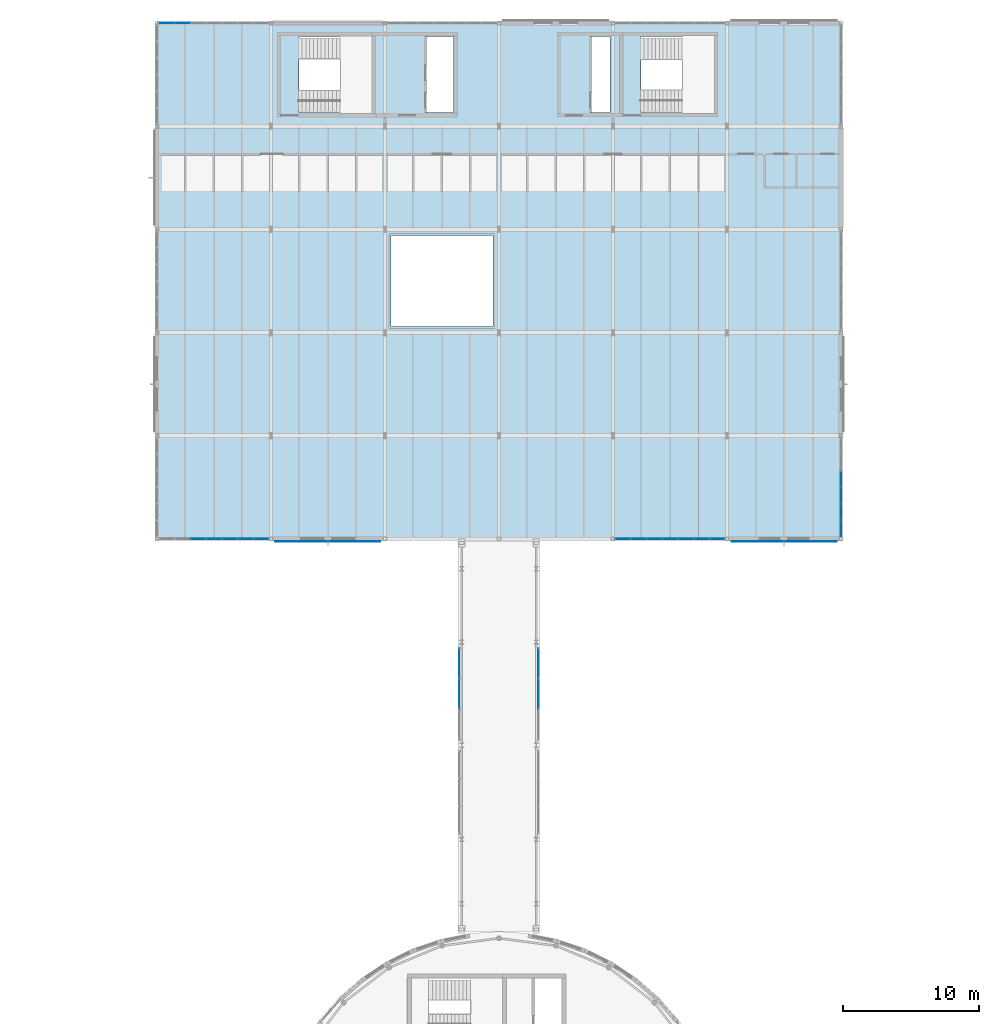
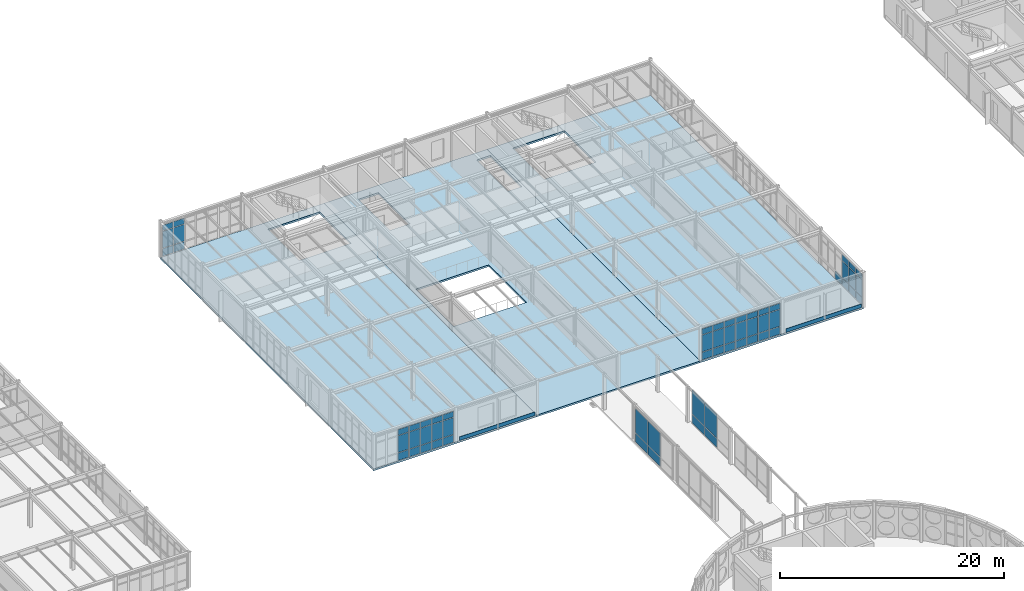
# One storey, part 147 of 189: 62 plates, 3 slabs, 6 elements without a shape of their own.
"""IFC4 building model written with IfcOpenShell, lengths in metres."""

from ifc_helpers import new_model, si_unit, direction, frame, origin, origin_2d, place, context, subcontext, project, spatial, polyline, rectangle, outline, extrude, material, layer, layer_set, type_object, element, aggregate, save


model = new_model("IFC4")

# Units and contexts
model_context = context("Model", 3, precision=1e-05, world=origin(), true_north=direction((0.0, 1.0)))
body_context = subcontext(model_context, "Body", "Model", "MODEL_VIEW")
ifc_project = project(units=[si_unit("LENGTHUNIT", "METRE"), si_unit("AREAUNIT", "SQUARE_METRE"), si_unit("VOLUMEUNIT", "CUBIC_METRE"), si_unit("PLANEANGLEUNIT", "RADIAN"), si_unit("MASSUNIT", "GRAM", prefix="KILO")], contexts=[model_context])

# Site, building, storey
site_placement = place(None, origin())
site = spatial("IfcSite", under=ifc_project, at=site_placement, CompositionType="ELEMENT")
building_placement = place(site_placement, origin())
building = spatial("IfcBuilding", under=site, at=building_placement, Name="Montecoro Central Library", CompositionType="ELEMENT")
storey_placement = place(building_placement, frame((0.0, 0.0, 9.179931640625)))
storey = spatial("IfcBuildingStorey", under=building, at=storey_placement, Name="L02", CompositionType="ELEMENT", Elevation=9.179931640625)

# Curtain wall, plates
ifc_material_1 = material(Name="Bronze-anodised aluminium and low-E glazing", Category="aluminium")
ifc_layer_1 = layer(ifc_material_1, 0.159912109375)
ifc_layer_set_1 = layer_set([ifc_layer_1], Name="Bronze-anodised aluminium and low-E glazing")
curtain_wall_type_1 = type_object("IfcCurtainWallType", Name="CWT-078", PredefinedType="NOTDEFINED", material=ifc_layer_set_1)
curtain_wall_1_placement = place(storey_placement, origin())
curtain_wall_1 = element("IfcCurtainWall", 1, at=curtain_wall_1_placement, inside=storey, type_object=curtain_wall_type_1, Name="BR-N-L02-CW-W2", PredefinedType="NOTDEFINED")
ifc_material_2 = material(Name="Laminated low-E double glazing", Category="glass")
ifc_layer_2 = layer(ifc_material_2, 0.02587890625)
ifc_layer_set_2 = layer_set([ifc_layer_2], Name="Laminated low-E double glazing")
plate_type_1 = type_object("IfcPlateType", Name="CWP-GLZ-01", PredefinedType="CURTAIN_PANEL", material=ifc_layer_set_2)
plate_1_placement = place(storey_placement, frame((88.679931640625, 69.60009765625, 0.06005859375), z_axis=(0.0, 0.0, 1.0), x_axis=(0.0, 1.0, 0.0)))
plate_1 = element("IfcPlate", 2, at=plate_1_placement, type_object=plate_type_1, Name="CW-078 panel 2.1", PredefinedType="CURTAIN_PANEL", context=body_context, shape_type="SweptSolid", body=[
    extrude(rectangle(XDim=2.193359375, YDim=0.02587890625, at=origin_2d()), origin(), (0.0, 0.0, 1.0), 0.9599609375),
])
plate_2_placement = place(storey_placement, frame((88.679931640625, 69.60009765625, 1.080078125), z_axis=(0.0, 0.0, 1.0), x_axis=(0.0, 1.0, 0.0)))
plate_2 = element("IfcPlate", 3, at=plate_2_placement, type_object=plate_type_1, Name="CW-078 panel 2.2", PredefinedType="CURTAIN_PANEL", context=body_context, shape_type="SweptSolid", body=[
    extrude(rectangle(XDim=2.193359375, YDim=0.02587890625, at=origin_2d()), origin(), (0.0, 0.0, 1.0), 2.590087890625),
])
plate_3_placement = place(storey_placement, frame((88.679931640625, 71.83837890625, 0.06005859375), z_axis=(0.0, 0.0, 1.0), x_axis=(0.0, 1.0, 0.0)))
plate_3 = element("IfcPlate", 4, at=plate_3_placement, type_object=plate_type_1, Name="CW-078 panel 3.1", PredefinedType="CURTAIN_PANEL", context=body_context, shape_type="SweptSolid", body=[
    extrude(rectangle(XDim=2.163330078125, YDim=0.02587890625, at=origin_2d()), origin(), (0.0, 0.0, 1.0), 0.9599609375),
])
plate_4_placement = place(storey_placement, frame((88.679931640625, 71.83837890625, 1.080078125), z_axis=(0.0, 0.0, 1.0), x_axis=(0.0, 1.0, 0.0)))
plate_4 = element("IfcPlate", 5, at=plate_4_placement, type_object=plate_type_1, Name="CW-078 panel 3.2", PredefinedType="CURTAIN_PANEL", context=body_context, shape_type="SweptSolid", body=[
    extrude(rectangle(XDim=2.163330078125, YDim=0.02587890625, at=origin_2d()), origin(), (0.0, 0.0, 1.0), 2.590087890625),
])
aggregate(curtain_wall_1, [plate_1, plate_2, plate_3, plate_4])

curtain_wall_2_placement = place(storey_placement, origin())
curtain_wall_2 = element("IfcCurtainWall", 6, at=curtain_wall_2_placement, inside=storey, type_object=curtain_wall_type_1, Name="BR-N-L02-CW-E2", PredefinedType="NOTDEFINED")
plate_5_placement = place(storey_placement, frame((94.52001953125, 69.60009765625, 0.06005859375), z_axis=(0.0, 0.0, 1.0), x_axis=(0.0, 1.0, 0.0)))
plate_5 = element("IfcPlate", 7, at=plate_5_placement, type_object=plate_type_1, Name="CW-078 panel 2.1", PredefinedType="CURTAIN_PANEL", context=body_context, shape_type="SweptSolid", body=[
    extrude(rectangle(XDim=2.193359375, YDim=0.02587890625, at=origin_2d()), origin(), (0.0, 0.0, 1.0), 0.9599609375),
])
plate_6_placement = place(storey_placement, frame((94.52001953125, 69.60009765625, 1.080078125), z_axis=(0.0, 0.0, 1.0), x_axis=(0.0, 1.0, 0.0)))
plate_6 = element("IfcPlate", 8, at=plate_6_placement, type_object=plate_type_1, Name="CW-078 panel 2.2", PredefinedType="CURTAIN_PANEL", context=body_context, shape_type="SweptSolid", body=[
    extrude(rectangle(XDim=2.193359375, YDim=0.02587890625, at=origin_2d()), origin(), (0.0, 0.0, 1.0), 2.590087890625),
])
plate_7_placement = place(storey_placement, frame((94.52001953125, 71.83837890625, 0.06005859375), z_axis=(0.0, 0.0, 1.0), x_axis=(0.0, 1.0, 0.0)))
plate_7 = element("IfcPlate", 9, at=plate_7_placement, type_object=plate_type_1, Name="CW-078 panel 3.1", PredefinedType="CURTAIN_PANEL", context=body_context, shape_type="SweptSolid", body=[
    extrude(rectangle(XDim=2.163330078125, YDim=0.02587890625, at=origin_2d()), origin(), (0.0, 0.0, 1.0), 0.9599609375),
])
plate_8_placement = place(storey_placement, frame((94.52001953125, 71.83837890625, 1.080078125), z_axis=(0.0, 0.0, 1.0), x_axis=(0.0, 1.0, 0.0)))
plate_8 = element("IfcPlate", 10, at=plate_8_placement, type_object=plate_type_1, Name="CW-078 panel 3.2", PredefinedType="CURTAIN_PANEL", context=body_context, shape_type="SweptSolid", body=[
    extrude(rectangle(XDim=2.163330078125, YDim=0.02587890625, at=origin_2d()), origin(), (0.0, 0.0, 1.0), 2.590087890625),
])
aggregate(curtain_wall_2, [plate_5, plate_6, plate_7, plate_8])

ifc_layer_3 = layer(ifc_material_1, 0.159912109375)
ifc_layer_set_3 = layer_set([ifc_layer_3], Name="Bronze-anodised aluminium and low-E glazing")
curtain_wall_type_2 = type_object("IfcCurtainWallType", Name="CWT-014", PredefinedType="NOTDEFINED", material=ifc_layer_set_3)
curtain_wall_3_placement = place(storey_placement, origin())
curtain_wall_3 = element("IfcCurtainWall", 11, at=curtain_wall_3_placement, inside=storey, type_object=curtain_wall_type_2, Name="V2-L02-CW-S4", PredefinedType="NOTDEFINED")
ifc_layer_4 = layer(ifc_material_2, 0.033935546875)
ifc_layer_set_4 = layer_set([ifc_layer_4], Name="Laminated low-E double glazing")
plate_type_2 = type_object("IfcPlateType", Name="CWP-GLZ-03", PredefinedType="CURTAIN_PANEL", material=ifc_layer_set_4)
plate_9_placement = place(storey_placement, frame((100.72900390625, 81.0, 0.06005859375), z_axis=(0.0, 0.0, 1.0), x_axis=(1.0, 0.0, 0.0)))
plate_9 = element("IfcPlate", 12, at=plate_9_placement, type_object=plate_type_2, Name="CW-014 panel 1.1", PredefinedType="CURTAIN_PANEL", context=body_context, shape_type="SweptSolid", body=[
    extrude(rectangle(XDim=1.072021484375, YDim=0.033935546875, at=origin_2d()), origin(), (0.0, 0.0, 1.0), 0.81005859375),
])
plate_10_placement = place(storey_placement, frame((100.72900390625, 81.0, 0.93017578125), z_axis=(0.0, 0.0, 1.0), x_axis=(1.0, 0.0, 0.0)))
plate_10 = element("IfcPlate", 13, at=plate_10_placement, type_object=plate_type_2, Name="CW-014 panel 1.2", PredefinedType="CURTAIN_PANEL", context=body_context, shape_type="SweptSolid", body=[
    extrude(rectangle(XDim=1.072021484375, YDim=0.033935546875, at=origin_2d()), origin(), (0.0, 0.0, 1.0), 1.820068359375),
])
plate_11_placement = place(storey_placement, frame((100.72900390625, 81.0, 2.81005859375), z_axis=(0.0, 0.0, 1.0), x_axis=(1.0, 0.0, 0.0)))
plate_11 = element("IfcPlate", 14, at=plate_11_placement, type_object=plate_type_2, Name="CW-014 panel 1.3", PredefinedType="CURTAIN_PANEL", context=body_context, shape_type="SweptSolid", body=[
    extrude(rectangle(XDim=1.072021484375, YDim=0.033935546875, at=origin_2d()), origin(), (0.0, 0.0, 1.0), 0.610107421875),
])
plate_12_placement = place(storey_placement, frame((101.8759765625, 81.0, 0.06005859375), z_axis=(0.0, 0.0, 1.0), x_axis=(1.0, 0.0, 0.0)))
plate_12 = element("IfcPlate", 15, at=plate_12_placement, type_object=plate_type_2, Name="CW-014 panel 2.1", PredefinedType="CURTAIN_PANEL", context=body_context, shape_type="SweptSolid", body=[
    extrude(rectangle(XDim=1.10205078125, YDim=0.033935546875, at=origin_2d()), origin(), (0.0, 0.0, 1.0), 0.81005859375),
])
plate_13_placement = place(storey_placement, frame((101.8759765625, 81.0, 0.93017578125), z_axis=(0.0, 0.0, 1.0), x_axis=(1.0, 0.0, 0.0)))
plate_13 = element("IfcPlate", 16, at=plate_13_placement, type_object=plate_type_2, Name="CW-014 panel 2.2", PredefinedType="CURTAIN_PANEL", context=body_context, shape_type="SweptSolid", body=[
    extrude(rectangle(XDim=1.10205078125, YDim=0.033935546875, at=origin_2d()), origin(), (0.0, 0.0, 1.0), 1.820068359375),
])
plate_14_placement = place(storey_placement, frame((101.8759765625, 81.0, 2.81005859375), z_axis=(0.0, 0.0, 1.0), x_axis=(1.0, 0.0, 0.0)))
plate_14 = element("IfcPlate", 17, at=plate_14_placement, type_object=plate_type_2, Name="CW-014 panel 2.3", PredefinedType="CURTAIN_PANEL", context=body_context, shape_type="SweptSolid", body=[
    extrude(rectangle(XDim=1.10205078125, YDim=0.033935546875, at=origin_2d()), origin(), (0.0, 0.0, 1.0), 0.610107421875),
])
plate_15_placement = place(storey_placement, frame((103.0380859375, 81.0, 0.06005859375), z_axis=(0.0, 0.0, 1.0), x_axis=(1.0, 0.0, 0.0)))
plate_15 = element("IfcPlate", 18, at=plate_15_placement, type_object=plate_type_2, Name="CW-014 panel 3.1", PredefinedType="CURTAIN_PANEL", context=body_context, shape_type="SweptSolid", body=[
    extrude(rectangle(XDim=1.10205078125, YDim=0.033935546875, at=origin_2d()), origin(), (0.0, 0.0, 1.0), 0.81005859375),
])
plate_16_placement = place(storey_placement, frame((103.0380859375, 81.0, 0.93017578125), z_axis=(0.0, 0.0, 1.0), x_axis=(1.0, 0.0, 0.0)))
plate_16 = element("IfcPlate", 19, at=plate_16_placement, type_object=plate_type_2, Name="CW-014 panel 3.2", PredefinedType="CURTAIN_PANEL", context=body_context, shape_type="SweptSolid", body=[
    extrude(rectangle(XDim=1.10205078125, YDim=0.033935546875, at=origin_2d()), origin(), (0.0, 0.0, 1.0), 1.820068359375),
])
plate_17_placement = place(storey_placement, frame((103.0380859375, 81.0, 2.81005859375), z_axis=(0.0, 0.0, 1.0), x_axis=(1.0, 0.0, 0.0)))
plate_17 = element("IfcPlate", 20, at=plate_17_placement, type_object=plate_type_2, Name="CW-014 panel 3.3", PredefinedType="CURTAIN_PANEL", context=body_context, shape_type="SweptSolid", body=[
    extrude(rectangle(XDim=1.10205078125, YDim=0.033935546875, at=origin_2d()), origin(), (0.0, 0.0, 1.0), 0.610107421875),
])
plate_18_placement = place(storey_placement, frame((104.199951171875, 81.0, 0.06005859375), z_axis=(0.0, 0.0, 1.0), x_axis=(1.0, 0.0, 0.0)))
plate_18 = element("IfcPlate", 21, at=plate_18_placement, type_object=plate_type_2, Name="CW-014 panel 4.1", PredefinedType="CURTAIN_PANEL", context=body_context, shape_type="SweptSolid", body=[
    extrude(rectangle(XDim=1.10205078125, YDim=0.033935546875, at=origin_2d()), origin(), (0.0, 0.0, 1.0), 0.81005859375),
])
plate_19_placement = place(storey_placement, frame((104.199951171875, 81.0, 0.93017578125), z_axis=(0.0, 0.0, 1.0), x_axis=(1.0, 0.0, 0.0)))
plate_19 = element("IfcPlate", 22, at=plate_19_placement, type_object=plate_type_2, Name="CW-014 panel 4.2", PredefinedType="CURTAIN_PANEL", context=body_context, shape_type="SweptSolid", body=[
    extrude(rectangle(XDim=1.10205078125, YDim=0.033935546875, at=origin_2d()), origin(), (0.0, 0.0, 1.0), 1.820068359375),
])
plate_20_placement = place(storey_placement, frame((104.199951171875, 81.0, 2.81005859375), z_axis=(0.0, 0.0, 1.0), x_axis=(1.0, 0.0, 0.0)))
plate_20 = element("IfcPlate", 23, at=plate_20_placement, type_object=plate_type_2, Name="CW-014 panel 4.3", PredefinedType="CURTAIN_PANEL", context=body_context, shape_type="SweptSolid", body=[
    extrude(rectangle(XDim=1.10205078125, YDim=0.033935546875, at=origin_2d()), origin(), (0.0, 0.0, 1.0), 0.610107421875),
])
plate_21_placement = place(storey_placement, frame((105.362060546875, 81.0, 0.06005859375), z_axis=(0.0, 0.0, 1.0), x_axis=(1.0, 0.0, 0.0)))
plate_21 = element("IfcPlate", 24, at=plate_21_placement, type_object=plate_type_2, Name="CW-014 panel 5.1", PredefinedType="CURTAIN_PANEL", context=body_context, shape_type="SweptSolid", body=[
    extrude(rectangle(XDim=1.10205078125, YDim=0.033935546875, at=origin_2d()), origin(), (0.0, 0.0, 1.0), 0.81005859375),
])
plate_22_placement = place(storey_placement, frame((105.362060546875, 81.0, 0.93017578125), z_axis=(0.0, 0.0, 1.0), x_axis=(1.0, 0.0, 0.0)))
plate_22 = element("IfcPlate", 25, at=plate_22_placement, type_object=plate_type_2, Name="CW-014 panel 5.2", PredefinedType="CURTAIN_PANEL", context=body_context, shape_type="SweptSolid", body=[
    extrude(rectangle(XDim=1.10205078125, YDim=0.033935546875, at=origin_2d()), origin(), (0.0, 0.0, 1.0), 1.820068359375),
])
plate_23_placement = place(storey_placement, frame((105.362060546875, 81.0, 2.81005859375), z_axis=(0.0, 0.0, 1.0), x_axis=(1.0, 0.0, 0.0)))
plate_23 = element("IfcPlate", 26, at=plate_23_placement, type_object=plate_type_2, Name="CW-014 panel 5.3", PredefinedType="CURTAIN_PANEL", context=body_context, shape_type="SweptSolid", body=[
    extrude(rectangle(XDim=1.10205078125, YDim=0.033935546875, at=origin_2d()), origin(), (0.0, 0.0, 1.0), 0.610107421875),
])
plate_24_placement = place(storey_placement, frame((106.52392578125, 81.0, 0.06005859375), z_axis=(0.0, 0.0, 1.0), x_axis=(1.0, 0.0, 0.0)))
plate_24 = element("IfcPlate", 27, at=plate_24_placement, type_object=plate_type_2, Name="CW-014 panel 6.1", PredefinedType="CURTAIN_PANEL", context=body_context, shape_type="SweptSolid", body=[
    extrude(rectangle(XDim=1.10205078125, YDim=0.033935546875, at=origin_2d()), origin(), (0.0, 0.0, 1.0), 0.81005859375),
])
plate_25_placement = place(storey_placement, frame((106.52392578125, 81.0, 0.93017578125), z_axis=(0.0, 0.0, 1.0), x_axis=(1.0, 0.0, 0.0)))
plate_25 = element("IfcPlate", 28, at=plate_25_placement, type_object=plate_type_2, Name="CW-014 panel 6.2", PredefinedType="CURTAIN_PANEL", context=body_context, shape_type="SweptSolid", body=[
    extrude(rectangle(XDim=1.10205078125, YDim=0.033935546875, at=origin_2d()), origin(), (0.0, 0.0, 1.0), 1.820068359375),
])
plate_26_placement = place(storey_placement, frame((106.52392578125, 81.0, 2.81005859375), z_axis=(0.0, 0.0, 1.0), x_axis=(1.0, 0.0, 0.0)))
plate_26 = element("IfcPlate", 29, at=plate_26_placement, type_object=plate_type_2, Name="CW-014 panel 6.3", PredefinedType="CURTAIN_PANEL", context=body_context, shape_type="SweptSolid", body=[
    extrude(rectangle(XDim=1.10205078125, YDim=0.033935546875, at=origin_2d()), origin(), (0.0, 0.0, 1.0), 0.610107421875),
])
plate_27_placement = place(storey_placement, frame((107.6708984375, 81.0, 0.06005859375), z_axis=(0.0, 0.0, 1.0), x_axis=(1.0, 0.0, 0.0)))
plate_27 = element("IfcPlate", 30, at=plate_27_placement, type_object=plate_type_2, Name="CW-014 panel 7.1", PredefinedType="CURTAIN_PANEL", context=body_context, shape_type="SweptSolid", body=[
    extrude(rectangle(XDim=1.072021484375, YDim=0.033935546875, at=origin_2d()), origin(), (0.0, 0.0, 1.0), 0.81005859375),
])
plate_28_placement = place(storey_placement, frame((107.6708984375, 81.0, 0.93017578125), z_axis=(0.0, 0.0, 1.0), x_axis=(1.0, 0.0, 0.0)))
plate_28 = element("IfcPlate", 31, at=plate_28_placement, type_object=plate_type_2, Name="CW-014 panel 7.2", PredefinedType="CURTAIN_PANEL", context=body_context, shape_type="SweptSolid", body=[
    extrude(rectangle(XDim=1.072021484375, YDim=0.033935546875, at=origin_2d()), origin(), (0.0, 0.0, 1.0), 1.820068359375),
])
plate_29_placement = place(storey_placement, frame((107.6708984375, 81.0, 2.81005859375), z_axis=(0.0, 0.0, 1.0), x_axis=(1.0, 0.0, 0.0)))
plate_29 = element("IfcPlate", 32, at=plate_29_placement, type_object=plate_type_2, Name="CW-014 panel 7.3", PredefinedType="CURTAIN_PANEL", context=body_context, shape_type="SweptSolid", body=[
    extrude(rectangle(XDim=1.072021484375, YDim=0.033935546875, at=origin_2d()), origin(), (0.0, 0.0, 1.0), 0.610107421875),
])
aggregate(curtain_wall_3, [plate_9, plate_10, plate_11, plate_12, plate_13, plate_14, plate_15, plate_16, plate_17, plate_18, plate_19, plate_20, plate_21, plate_22, plate_23, plate_24, plate_25, plate_26, plate_27, plate_28, plate_29])

curtain_wall_4_placement = place(storey_placement, origin())
curtain_wall_4 = element("IfcCurtainWall", 33, at=curtain_wall_4_placement, inside=storey, type_object=curtain_wall_type_2, Name="V2-L02-CW-S0", PredefinedType="NOTDEFINED")
ifc_layer_5 = layer(ifc_material_2, 0.0380859375)
ifc_layer_set_5 = layer_set([ifc_layer_5], Name="Laminated low-E double glazing")
plate_type_3 = type_object("IfcPlateType", Name="CWP-GLZ-04", PredefinedType="CURTAIN_PANEL", material=ifc_layer_set_5)
plate_30_placement = place(storey_placement, frame((69.43798828125, 81.0, 0.06005859375), z_axis=(0.0, 0.0, 1.0), x_axis=(1.0, 0.0, 0.0)))
plate_30 = element("IfcPlate", 34, at=plate_30_placement, type_object=plate_type_3, Name="CW-014 panel 3.1", PredefinedType="CURTAIN_PANEL", context=body_context, shape_type="SweptSolid", body=[
    extrude(rectangle(XDim=1.10205078125, YDim=0.0380859375, at=origin_2d()), origin(), (0.0, 0.0, 1.0), 0.81005859375),
])
plate_31_placement = place(storey_placement, frame((69.43798828125, 81.0, 0.93017578125), z_axis=(0.0, 0.0, 1.0), x_axis=(1.0, 0.0, 0.0)))
plate_31 = element("IfcPlate", 35, at=plate_31_placement, type_object=plate_type_3, Name="CW-014 panel 3.2", PredefinedType="CURTAIN_PANEL", context=body_context, shape_type="SweptSolid", body=[
    extrude(rectangle(XDim=1.10205078125, YDim=0.0380859375, at=origin_2d()), origin(), (0.0, 0.0, 1.0), 1.820068359375),
])
plate_32_placement = place(storey_placement, frame((69.43798828125, 81.0, 2.81005859375), z_axis=(0.0, 0.0, 1.0), x_axis=(1.0, 0.0, 0.0)))
plate_32 = element("IfcPlate", 36, at=plate_32_placement, type_object=plate_type_3, Name="CW-014 panel 3.3", PredefinedType="CURTAIN_PANEL", context=body_context, shape_type="SweptSolid", body=[
    extrude(rectangle(XDim=1.10205078125, YDim=0.0380859375, at=origin_2d()), origin(), (0.0, 0.0, 1.0), 0.610107421875),
])
plate_33_placement = place(storey_placement, frame((70.60009765625, 81.0, 0.06005859375), z_axis=(0.0, 0.0, 1.0), x_axis=(1.0, 0.0, 0.0)))
plate_33 = element("IfcPlate", 37, at=plate_33_placement, type_object=plate_type_3, Name="CW-014 panel 4.1", PredefinedType="CURTAIN_PANEL", context=body_context, shape_type="SweptSolid", body=[
    extrude(rectangle(XDim=1.10205078125, YDim=0.0380859375, at=origin_2d()), origin(), (0.0, 0.0, 1.0), 0.81005859375),
])
plate_34_placement = place(storey_placement, frame((70.60009765625, 81.0, 0.93017578125), z_axis=(0.0, 0.0, 1.0), x_axis=(1.0, 0.0, 0.0)))
plate_34 = element("IfcPlate", 38, at=plate_34_placement, type_object=plate_type_3, Name="CW-014 panel 4.2", PredefinedType="CURTAIN_PANEL", context=body_context, shape_type="SweptSolid", body=[
    extrude(rectangle(XDim=1.10205078125, YDim=0.0380859375, at=origin_2d()), origin(), (0.0, 0.0, 1.0), 1.820068359375),
])
plate_35_placement = place(storey_placement, frame((70.60009765625, 81.0, 2.81005859375), z_axis=(0.0, 0.0, 1.0), x_axis=(1.0, 0.0, 0.0)))
plate_35 = element("IfcPlate", 39, at=plate_35_placement, type_object=plate_type_3, Name="CW-014 panel 4.3", PredefinedType="CURTAIN_PANEL", context=body_context, shape_type="SweptSolid", body=[
    extrude(rectangle(XDim=1.10205078125, YDim=0.0380859375, at=origin_2d()), origin(), (0.0, 0.0, 1.0), 0.610107421875),
])
plate_36_placement = place(storey_placement, frame((71.761962890625, 81.0, 0.06005859375), z_axis=(0.0, 0.0, 1.0), x_axis=(1.0, 0.0, 0.0)))
plate_36 = element("IfcPlate", 40, at=plate_36_placement, type_object=plate_type_3, Name="CW-014 panel 5.1", PredefinedType="CURTAIN_PANEL", context=body_context, shape_type="SweptSolid", body=[
    extrude(rectangle(XDim=1.10205078125, YDim=0.0380859375, at=origin_2d()), origin(), (0.0, 0.0, 1.0), 0.81005859375),
])
plate_37_placement = place(storey_placement, frame((71.761962890625, 81.0, 0.93017578125), z_axis=(0.0, 0.0, 1.0), x_axis=(1.0, 0.0, 0.0)))
plate_37 = element("IfcPlate", 41, at=plate_37_placement, type_object=plate_type_3, Name="CW-014 panel 5.2", PredefinedType="CURTAIN_PANEL", context=body_context, shape_type="SweptSolid", body=[
    extrude(rectangle(XDim=1.10205078125, YDim=0.0380859375, at=origin_2d()), origin(), (0.0, 0.0, 1.0), 1.820068359375),
])
plate_38_placement = place(storey_placement, frame((71.761962890625, 81.0, 2.81005859375), z_axis=(0.0, 0.0, 1.0), x_axis=(1.0, 0.0, 0.0)))
plate_38 = element("IfcPlate", 42, at=plate_38_placement, type_object=plate_type_3, Name="CW-014 panel 5.3", PredefinedType="CURTAIN_PANEL", context=body_context, shape_type="SweptSolid", body=[
    extrude(rectangle(XDim=1.10205078125, YDim=0.0380859375, at=origin_2d()), origin(), (0.0, 0.0, 1.0), 0.610107421875),
])
plate_39_placement = place(storey_placement, frame((72.924072265625, 81.0, 0.06005859375), z_axis=(0.0, 0.0, 1.0), x_axis=(1.0, 0.0, 0.0)))
plate_39 = element("IfcPlate", 43, at=plate_39_placement, type_object=plate_type_3, Name="CW-014 panel 6.1", PredefinedType="CURTAIN_PANEL", context=body_context, shape_type="SweptSolid", body=[
    extrude(rectangle(XDim=1.10205078125, YDim=0.0380859375, at=origin_2d()), origin(), (0.0, 0.0, 1.0), 0.81005859375),
])
plate_40_placement = place(storey_placement, frame((72.924072265625, 81.0, 0.93017578125), z_axis=(0.0, 0.0, 1.0), x_axis=(1.0, 0.0, 0.0)))
plate_40 = element("IfcPlate", 44, at=plate_40_placement, type_object=plate_type_3, Name="CW-014 panel 6.2", PredefinedType="CURTAIN_PANEL", context=body_context, shape_type="SweptSolid", body=[
    extrude(rectangle(XDim=1.10205078125, YDim=0.0380859375, at=origin_2d()), origin(), (0.0, 0.0, 1.0), 1.820068359375),
])
plate_41_placement = place(storey_placement, frame((72.924072265625, 81.0, 2.81005859375), z_axis=(0.0, 0.0, 1.0), x_axis=(1.0, 0.0, 0.0)))
plate_41 = element("IfcPlate", 45, at=plate_41_placement, type_object=plate_type_3, Name="CW-014 panel 6.3", PredefinedType="CURTAIN_PANEL", context=body_context, shape_type="SweptSolid", body=[
    extrude(rectangle(XDim=1.10205078125, YDim=0.0380859375, at=origin_2d()), origin(), (0.0, 0.0, 1.0), 0.610107421875),
])
plate_42_placement = place(storey_placement, frame((74.071044921875, 81.0, 0.06005859375), z_axis=(0.0, 0.0, 1.0), x_axis=(1.0, 0.0, 0.0)))
plate_42 = element("IfcPlate", 46, at=plate_42_placement, type_object=plate_type_3, Name="CW-014 panel 7.1", PredefinedType="CURTAIN_PANEL", context=body_context, shape_type="SweptSolid", body=[
    extrude(rectangle(XDim=1.072021484375, YDim=0.0380859375, at=origin_2d()), origin(), (0.0, 0.0, 1.0), 0.81005859375),
])
plate_43_placement = place(storey_placement, frame((74.071044921875, 81.0, 0.93017578125), z_axis=(0.0, 0.0, 1.0), x_axis=(1.0, 0.0, 0.0)))
plate_43 = element("IfcPlate", 47, at=plate_43_placement, type_object=plate_type_3, Name="CW-014 panel 7.2", PredefinedType="CURTAIN_PANEL", context=body_context, shape_type="SweptSolid", body=[
    extrude(rectangle(XDim=1.072021484375, YDim=0.0380859375, at=origin_2d()), origin(), (0.0, 0.0, 1.0), 1.820068359375),
])
plate_44_placement = place(storey_placement, frame((74.071044921875, 81.0, 2.81005859375), z_axis=(0.0, 0.0, 1.0), x_axis=(1.0, 0.0, 0.0)))
plate_44 = element("IfcPlate", 48, at=plate_44_placement, type_object=plate_type_3, Name="CW-014 panel 7.3", PredefinedType="CURTAIN_PANEL", context=body_context, shape_type="SweptSolid", body=[
    extrude(rectangle(XDim=1.072021484375, YDim=0.0380859375, at=origin_2d()), origin(), (0.0, 0.0, 1.0), 0.610107421875),
])
aggregate(curtain_wall_4, [plate_30, plate_31, plate_32, plate_33, plate_34, plate_35, plate_36, plate_37, plate_38, plate_39, plate_40, plate_41, plate_42, plate_43, plate_44])

ifc_layer_6 = layer(ifc_material_1, 0.159912109375)
ifc_layer_set_6 = layer_set([ifc_layer_6], Name="Bronze-anodised aluminium and low-E glazing")
curtain_wall_type_3 = type_object("IfcCurtainWallType", Name="CWT-015", PredefinedType="NOTDEFINED", material=ifc_layer_set_6)
curtain_wall_5_placement = place(storey_placement, origin())
curtain_wall_5 = element("IfcCurtainWall", 49, at=curtain_wall_5_placement, inside=storey, type_object=curtain_wall_type_3, Name="V2-L02-CW-E0", PredefinedType="NOTDEFINED")
plate_45_placement = place(storey_placement, frame((116.800048828125, 81.75927734375, 0.06005859375), z_axis=(0.0, 0.0, 1.0), x_axis=(0.0, 1.0, 0.0)))
plate_45 = element("IfcPlate", 50, at=plate_45_placement, type_object=plate_type_3, Name="CW-015 panel 1.1", PredefinedType="CURTAIN_PANEL", context=body_context, shape_type="SweptSolid", body=[
    extrude(rectangle(XDim=1.13232421875, YDim=0.0380859375, at=origin_2d()), origin(), (0.0, 0.0, 1.0), 0.81005859375),
])
plate_46_placement = place(storey_placement, frame((116.800048828125, 81.75927734375, 0.93017578125), z_axis=(0.0, 0.0, 1.0), x_axis=(0.0, 1.0, 0.0)))
plate_46 = element("IfcPlate", 51, at=plate_46_placement, type_object=plate_type_3, Name="CW-015 panel 1.2", PredefinedType="CURTAIN_PANEL", context=body_context, shape_type="SweptSolid", body=[
    extrude(rectangle(XDim=1.13232421875, YDim=0.0380859375, at=origin_2d()), origin(), (0.0, 0.0, 1.0), 1.820068359375),
])
plate_47_placement = place(storey_placement, frame((116.800048828125, 81.75927734375, 2.81005859375), z_axis=(0.0, 0.0, 1.0), x_axis=(0.0, 1.0, 0.0)))
plate_47 = element("IfcPlate", 52, at=plate_47_placement, type_object=plate_type_3, Name="CW-015 panel 1.3", PredefinedType="CURTAIN_PANEL", context=body_context, shape_type="SweptSolid", body=[
    extrude(rectangle(XDim=1.13232421875, YDim=0.0380859375, at=origin_2d()), origin(), (0.0, 0.0, 1.0), 0.610107421875),
])
plate_48_placement = place(storey_placement, frame((116.800048828125, 82.966552734375, 0.06005859375), z_axis=(0.0, 0.0, 1.0), x_axis=(0.0, 1.0, 0.0)))
plate_48 = element("IfcPlate", 53, at=plate_48_placement, type_object=plate_type_3, Name="CW-015 panel 2.1", PredefinedType="CURTAIN_PANEL", context=body_context, shape_type="SweptSolid", body=[
    extrude(rectangle(XDim=1.162353515625, YDim=0.0380859375, at=origin_2d()), origin(), (0.0, 0.0, 1.0), 0.81005859375),
])
plate_49_placement = place(storey_placement, frame((116.800048828125, 82.966552734375, 0.93017578125), z_axis=(0.0, 0.0, 1.0), x_axis=(0.0, 1.0, 0.0)))
plate_49 = element("IfcPlate", 54, at=plate_49_placement, type_object=plate_type_3, Name="CW-015 panel 2.2", PredefinedType="CURTAIN_PANEL", context=body_context, shape_type="SweptSolid", body=[
    extrude(rectangle(XDim=1.162353515625, YDim=0.0380859375, at=origin_2d()), origin(), (0.0, 0.0, 1.0), 1.820068359375),
])
plate_50_placement = place(storey_placement, frame((116.800048828125, 82.966552734375, 2.81005859375), z_axis=(0.0, 0.0, 1.0), x_axis=(0.0, 1.0, 0.0)))
plate_50 = element("IfcPlate", 55, at=plate_50_placement, type_object=plate_type_3, Name="CW-015 panel 2.3", PredefinedType="CURTAIN_PANEL", context=body_context, shape_type="SweptSolid", body=[
    extrude(rectangle(XDim=1.162353515625, YDim=0.0380859375, at=origin_2d()), origin(), (0.0, 0.0, 1.0), 0.610107421875),
])
plate_51_placement = place(storey_placement, frame((116.800048828125, 84.188720703125, 0.06005859375), z_axis=(0.0, 0.0, 1.0), x_axis=(0.0, 1.0, 0.0)))
plate_51 = element("IfcPlate", 56, at=plate_51_placement, type_object=plate_type_3, Name="CW-015 panel 3.1", PredefinedType="CURTAIN_PANEL", context=body_context, shape_type="SweptSolid", body=[
    extrude(rectangle(XDim=1.162353515625, YDim=0.0380859375, at=origin_2d()), origin(), (0.0, 0.0, 1.0), 0.81005859375),
])
plate_52_placement = place(storey_placement, frame((116.800048828125, 84.188720703125, 0.93017578125), z_axis=(0.0, 0.0, 1.0), x_axis=(0.0, 1.0, 0.0)))
plate_52 = element("IfcPlate", 57, at=plate_52_placement, type_object=plate_type_3, Name="CW-015 panel 3.2", PredefinedType="CURTAIN_PANEL", context=body_context, shape_type="SweptSolid", body=[
    extrude(rectangle(XDim=1.162353515625, YDim=0.0380859375, at=origin_2d()), origin(), (0.0, 0.0, 1.0), 1.820068359375),
])
plate_53_placement = place(storey_placement, frame((116.800048828125, 84.188720703125, 2.81005859375), z_axis=(0.0, 0.0, 1.0), x_axis=(0.0, 1.0, 0.0)))
plate_53 = element("IfcPlate", 58, at=plate_53_placement, type_object=plate_type_3, Name="CW-015 panel 3.3", PredefinedType="CURTAIN_PANEL", context=body_context, shape_type="SweptSolid", body=[
    extrude(rectangle(XDim=1.162353515625, YDim=0.0380859375, at=origin_2d()), origin(), (0.0, 0.0, 1.0), 0.610107421875),
])
plate_54_placement = place(storey_placement, frame((116.800048828125, 85.4111328125, 0.06005859375), z_axis=(0.0, 0.0, 1.0), x_axis=(0.0, 1.0, 0.0)))
plate_54 = element("IfcPlate", 59, at=plate_54_placement, type_object=plate_type_3, Name="CW-015 panel 4.1", PredefinedType="CURTAIN_PANEL", context=body_context, shape_type="SweptSolid", body=[
    extrude(rectangle(XDim=1.162353515625, YDim=0.0380859375, at=origin_2d()), origin(), (0.0, 0.0, 1.0), 0.81005859375),
])
aggregate(curtain_wall_5, [plate_45, plate_46, plate_47, plate_48, plate_49, plate_50, plate_51, plate_52, plate_53, plate_54])

ifc_layer_7 = layer(ifc_material_1, 0.159912109375)
ifc_layer_set_7 = layer_set([ifc_layer_7], Name="Bronze-anodised aluminium and low-E glazing")
curtain_wall_type_4 = type_object("IfcCurtainWallType", Name="CWT-016", PredefinedType="NOTDEFINED", material=ifc_layer_set_7)
curtain_wall_6_placement = place(storey_placement, origin())
curtain_wall_6 = element("IfcCurtainWall", 60, at=curtain_wall_6_placement, inside=storey, type_object=curtain_wall_type_4, Name="V2-L02-CW-N0", PredefinedType="NOTDEFINED")
plate_55_placement = place(storey_placement, frame((68.27587890625, 119.0, 0.06005859375), z_axis=(0.0, 0.0, 1.0), x_axis=(-1.0, 0.0, 0.0)))
plate_55 = element("IfcPlate", 61, at=plate_55_placement, type_object=plate_type_3, Name="CW-016 panel 6.1", PredefinedType="CURTAIN_PANEL", context=body_context, shape_type="SweptSolid", body=[
    extrude(rectangle(XDim=1.10205078125, YDim=0.0380859375, at=origin_2d()), origin(), (0.0, 0.0, 1.0), 0.81005859375),
])
plate_56_placement = place(storey_placement, frame((68.27587890625, 119.0, 0.93017578125), z_axis=(0.0, 0.0, 1.0), x_axis=(-1.0, 0.0, 0.0)))
plate_56 = element("IfcPlate", 62, at=plate_56_placement, type_object=plate_type_3, Name="CW-016 panel 6.2", PredefinedType="CURTAIN_PANEL", context=body_context, shape_type="SweptSolid", body=[
    extrude(rectangle(XDim=1.10205078125, YDim=0.0380859375, at=origin_2d()), origin(), (0.0, 0.0, 1.0), 1.820068359375),
])
plate_57_placement = place(storey_placement, frame((68.27587890625, 119.0, 2.81005859375), z_axis=(0.0, 0.0, 1.0), x_axis=(-1.0, 0.0, 0.0)))
plate_57 = element("IfcPlate", 63, at=plate_57_placement, type_object=plate_type_3, Name="CW-016 panel 6.3", PredefinedType="CURTAIN_PANEL", context=body_context, shape_type="SweptSolid", body=[
    extrude(rectangle(XDim=1.10205078125, YDim=0.0380859375, at=origin_2d()), origin(), (0.0, 0.0, 1.0), 0.610107421875),
])
plate_58_placement = place(storey_placement, frame((67.12890625, 119.0, 0.06005859375), z_axis=(0.0, 0.0, 1.0), x_axis=(-1.0, 0.0, 0.0)))
plate_58 = element("IfcPlate", 64, at=plate_58_placement, type_object=plate_type_3, Name="CW-016 panel 7.1", PredefinedType="CURTAIN_PANEL", context=body_context, shape_type="SweptSolid", body=[
    extrude(rectangle(XDim=1.072021484375, YDim=0.0380859375, at=origin_2d()), origin(), (0.0, 0.0, 1.0), 0.81005859375),
])
plate_59_placement = place(storey_placement, frame((67.12890625, 119.0, 0.93017578125), z_axis=(0.0, 0.0, 1.0), x_axis=(-1.0, 0.0, 0.0)))
plate_59 = element("IfcPlate", 65, at=plate_59_placement, type_object=plate_type_3, Name="CW-016 panel 7.2", PredefinedType="CURTAIN_PANEL", context=body_context, shape_type="SweptSolid", body=[
    extrude(rectangle(XDim=1.072021484375, YDim=0.0380859375, at=origin_2d()), origin(), (0.0, 0.0, 1.0), 1.820068359375),
])
plate_60_placement = place(storey_placement, frame((67.12890625, 119.0, 2.81005859375), z_axis=(0.0, 0.0, 1.0), x_axis=(-1.0, 0.0, 0.0)))
plate_60 = element("IfcPlate", 66, at=plate_60_placement, type_object=plate_type_3, Name="CW-016 panel 7.3", PredefinedType="CURTAIN_PANEL", context=body_context, shape_type="SweptSolid", body=[
    extrude(rectangle(XDim=1.072021484375, YDim=0.0380859375, at=origin_2d()), origin(), (0.0, 0.0, 1.0), 0.610107421875),
])
aggregate(curtain_wall_6, [plate_55, plate_56, plate_57, plate_58, plate_59, plate_60])

# Plates
ifc_material_3 = material(Name="Architectural bronze spandrel plate", Category="aluminium")
ifc_layer_8 = layer(ifc_material_3, 0.02197265625)
ifc_layer_set_8 = layer_set([ifc_layer_8], Name="Architectural bronze spandrel plate")
plate_type_4 = type_object("IfcPlateType", Name="PLT-SPN-01", PredefinedType="SHEET", material=ifc_layer_set_8)
for number, where, z_axis, x_axis, name in (
    (67, (79.0, 80.81640625, 0.16015625), (0.0, 0.0, 1.0), (1.0, 0.0, 0.0), "V2-L02-SPN-S1"),
    (68, (112.60009765625, 80.81640625, 0.16015625), (0.0, 0.0, 1.0), (1.0, 0.0, 0.0), "V2-L02-SPN-S5"),
):
    element("IfcPlate", number, at=place(storey_placement, frame(where, z_axis=z_axis, x_axis=x_axis)), inside=storey, type_object=plate_type_4, Name=name, PredefinedType="SHEET", context=body_context, shape_type="SweptSolid", body=[
        extrude(rectangle(XDim=7.73388671875, YDim=0.02197265625, at=origin_2d()), origin(), (0.0, 0.0, 1.0), 0.39990234375),
    ])

# Slabs
ifc_material_4 = material(Name="Concrete C32/40", Category="concrete")
ifc_layer_9 = layer(ifc_material_4, 0.195068359375)
ifc_layer_set_9 = layer_set([ifc_layer_9], Name="Concrete C32/40")
slab_type = type_object("IfcSlabType", Name="SL-FLR-195", PredefinedType="FLOOR", material=ifc_layer_set_9)
slab_1_placement = place(storey_placement, frame((0.0, 0.0, -0.19482421875)))
element("IfcSlab", 69, at=slab_1_placement, inside=storey, type_object=slab_type, Name="V2-L02-SL1", PredefinedType="FLOOR", context=body_context, shape_type="SweptSolid", body=[
    extrude(outline(polyline([(66.39990234375, 81.0), (83.199951171875, 81.0), (83.199951171875, 119.0), (66.39990234375, 119.0), (66.39990234375, 81.0)]), holes=[polyline([(76.860107421875, 118.0), (82.199951171875, 118.0), (82.199951171875, 112.39990234375), (76.860107421875, 112.39990234375), (76.860107421875, 118.0)])]), origin(), (0.0, 0.0, 1.0), 0.19482421875),
])
slab_2_placement = place(storey_placement, frame((0.0, 0.0, -0.19482421875)))
element("IfcSlab", 70, at=slab_2_placement, inside=storey, type_object=slab_type, Name="V2-L02-SL2", PredefinedType="FLOOR", context=body_context, shape_type="SweptSolid", body=[
    extrude(outline(polyline([(83.199951171875, 81.0), (100.0, 81.0), (100.0, 119.0), (83.199951171875, 119.0), (83.199951171875, 81.0)]), holes=[polyline([(86.199951171875, 118.0), (88.25, 118.0), (88.25, 112.39990234375), (86.199951171875, 112.39990234375), (86.199951171875, 118.0)]), polyline([(98.35009765625, 118.0), (99.780029296875, 118.0), (99.780029296875, 112.39990234375), (98.35009765625, 112.39990234375), (98.35009765625, 118.0)]), polyline([(83.64990234375, 103.35009765625), (91.14990234375, 103.35009765625), (91.14990234375, 96.64990234375), (83.64990234375, 96.64990234375), (83.64990234375, 103.35009765625)])]), origin(), (0.0, 0.0, 1.0), 0.19482421875),
])
slab_3_placement = place(storey_placement, frame((0.0, 0.0, -0.19482421875)))
element("IfcSlab", 71, at=slab_3_placement, inside=storey, type_object=slab_type, Name="V2-L02-SL3", PredefinedType="FLOOR", context=body_context, shape_type="SweptSolid", body=[
    extrude(outline(polyline([(100.0, 81.0), (116.800048828125, 81.0), (116.800048828125, 119.0), (100.0, 119.0), (100.0, 81.0)]), holes=[polyline([(102.06005859375, 118.0), (107.39990234375, 118.0), (107.39990234375, 112.39990234375), (102.06005859375, 112.39990234375), (102.06005859375, 118.0)])]), origin(), (0.0, 0.0, 1.0), 0.19482421875),
])

save(model, "model.ifc")
